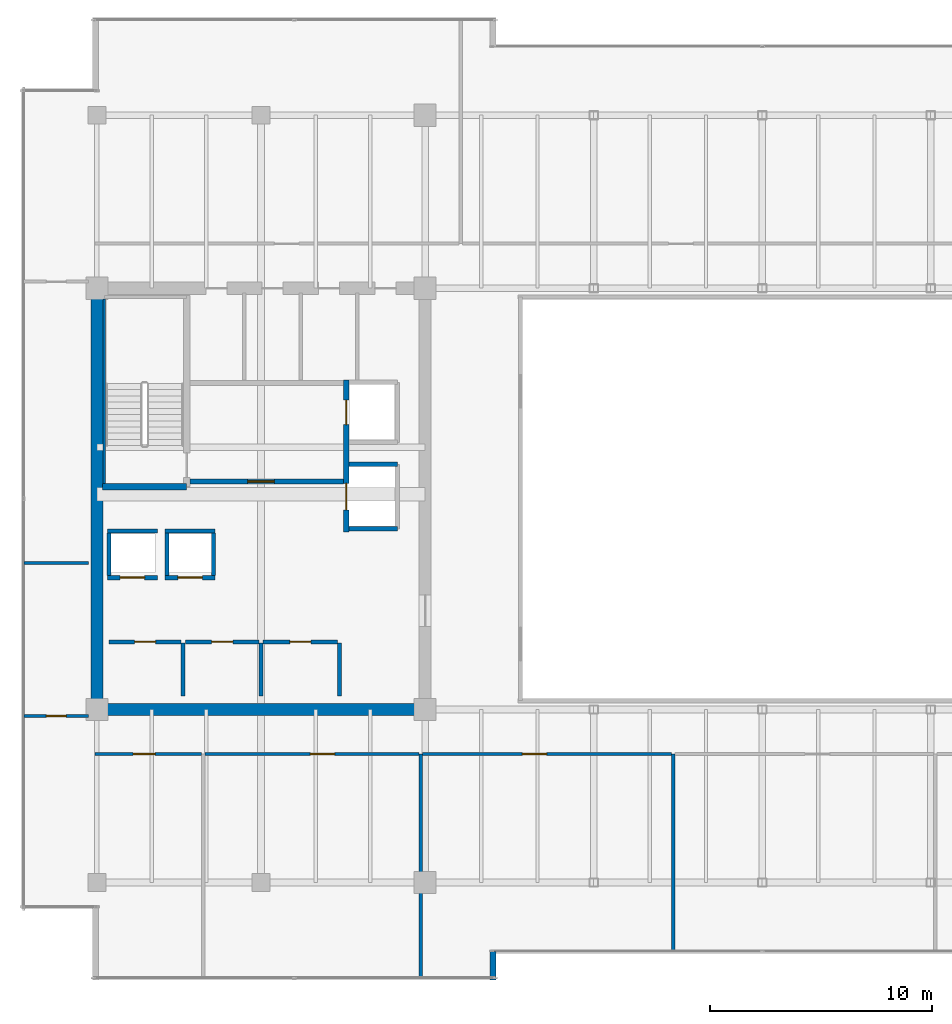
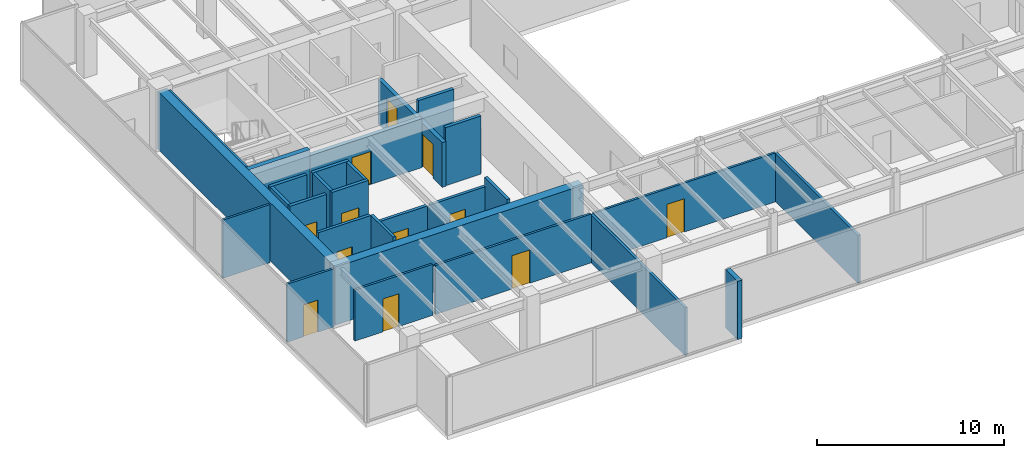
# One storey, part 28 of 33: 29 walls, 12 doors, 12 openings.
"""IFC4 building model written with IfcOpenShell, lengths in metres."""

from ifc_helpers import new_model, si_unit, direction, frame, frame_2d, origin, place, context, subcontext, project, spatial, rectangle, extrude, source, transform, mapped, material, layer, layer_set, type_object, type_shapes, element, fill, save


model = new_model("IFC4")

# Units and contexts
model_context = context("Model", 3, precision=1e-05, world=origin(), true_north=direction((0.0, 1.0)))
body_context = subcontext(model_context, "Body", "Model", "MODEL_VIEW")
ifc_project = project(units=[si_unit("LENGTHUNIT", "METRE"), si_unit("AREAUNIT", "SQUARE_METRE"), si_unit("VOLUMEUNIT", "CUBIC_METRE"), si_unit("PLANEANGLEUNIT", "RADIAN"), si_unit("MASSUNIT", "GRAM", prefix="KILO")], contexts=[model_context])

# Site, building, storey
site_placement = place(None, origin())
site = spatial("IfcSite", under=ifc_project, at=site_placement, CompositionType="ELEMENT")
building_placement = place(site_placement, origin())
building = spatial("IfcBuilding", under=site, at=building_placement, Name="Haelvirn Gate Laboratories", CompositionType="ELEMENT")
storey_placement = place(building_placement, frame((0.0, 0.0, 209.60009765625)))
storey = spatial("IfcBuildingStorey", under=building, at=storey_placement, Name="L50", CompositionType="ELEMENT", Elevation=209.60009765625)

# Walls
ifc_material_1 = material(Name="Thermally-broken bronze aluminium rainscreen & mineral wool", Category="aluminium")
ifc_layer_1 = layer(ifc_material_1, 0.280029296875, Name="EW-TERR-280")
ifc_layer_set_1 = layer_set([ifc_layer_1], Name="Thermally-broken bronze aluminium rainscreen & mineral wool")
wall_type_1 = type_object("IfcWallType", Name="EW-TERR-280", PredefinedType="STANDARD", material=ifc_layer_set_1)
wall_1_placement = place(storey_placement, frame((25.260009765625, 2.60009765625, 0.0), z_axis=(0.0, 0.0, 1.0), x_axis=(0.0, 1.0, 0.0)))
element("IfcWall", 1, at=wall_1_placement, inside=storey, type_object=wall_type_1, Name="L50 Atrium Recess Bronze Return Wall 01", PredefinedType="STANDARD", context=body_context, shape_type="SweptSolid", body=[
    extrude(rectangle(XDim=1.29296875, YDim=0.280029296875, at=frame_2d((0.646484375, 0.0))), origin(), (0.0, 0.0, 1.0), 3.7998046875),
])
ifc_material_2 = material(Name="Double-layer acoustic gypsum laboratory partition", Category="gypsum")
ifc_layer_2 = layer(ifc_material_2, 0.159912109375, Name="IW-ACOUST-160")
ifc_layer_set_2 = layer_set([ifc_layer_2], Name="Double-layer acoustic gypsum laboratory partition")
wall_type_2 = type_object("IfcWallType", Name="IW-ACOUST-160", PredefinedType="PARTITIONING", material=ifc_layer_set_2)
wall_2_placement = place(storey_placement, frame((22.0, 2.7099609375, 0.0), z_axis=(0.0, 0.0, 1.0), x_axis=(0.0, 1.0, 0.0)))
element("IfcWall", 2, at=wall_2_placement, inside=storey, type_object=wall_type_2, Name="L50 Interior Wall IW-L50-SDIV-02", PredefinedType="PARTITIONING", context=body_context, shape_type="SweptSolid", body=[
    extrude(rectangle(XDim=10.080078125, YDim=0.159912109375, at=frame_2d((5.0400390625, 0.0))), origin(), (0.0, 0.0, 1.0), 3.135009765625),
])
wall_3_placement = place(storey_placement, frame((33.39990234375, 3.909912109375, 0.0), z_axis=(0.0, 0.0, 1.0), x_axis=(0.0, 1.0, 0.0)))
element("IfcWall", 3, at=wall_3_placement, inside=storey, type_object=wall_type_2, Name="L50 Interior Wall IW-L50-SDIV-03", PredefinedType="PARTITIONING", context=body_context, shape_type="SweptSolid", body=[
    extrude(rectangle(XDim=8.880126953125, YDim=0.159912109375, at=frame_2d((4.43994140625, 0.0))), origin(), (0.0, 0.0, 1.0), 3.135009765625),
])

# Wall, opening, door
ifc_material_3 = material(Name="Acoustic mineral-wool gypsum board partition", Category="gypsum")
ifc_layer_3 = layer(ifc_material_3, 0.139892578125, Name="IW-PART-140")
ifc_layer_set_3 = layer_set([ifc_layer_3], Name="Acoustic mineral-wool gypsum board partition")
wall_type_3 = type_object("IfcWallType", Name="IW-PART-140", PredefinedType="PARTITIONING", material=ifc_layer_set_3)
wall_4_placement = place(storey_placement, frame((7.31005859375, 12.7900390625, 0.0), z_axis=(0.0, 0.0, 1.0), x_axis=(1.0, 0.0, 0.0)))
wall_4 = element("IfcWall", 4, at=wall_4_placement, inside=storey, type_object=wall_type_3, Name="L50 Interior Wall IW-L50-SCORR-01", PredefinedType="PARTITIONING", context=body_context, shape_type="SweptSolid", body=[
    extrude(rectangle(XDim=4.81005859375, YDim=0.139892578125, at=frame_2d((2.405029296875, 0.0))), origin(), (0.0, 0.0, 1.0), 3.3349609375),
])
opening_1_placement = place(wall_4_placement, frame((1.718505859375, 0.0, 0.0)))
opening_1 = element("IfcOpeningElement", 5, at=opening_1_placement, cuts=wall_4, Name="Opening D2", PredefinedType="OPENING", context=body_context, shape_type="SweptSolid", body=[
    extrude(rectangle(XDim=1.0, YDim=2.14990234375, at=frame_2d((0.5, 1.074951171875))), frame((0.0, 0.080078125, 0.0), z_axis=(0.0, -1.0, 0.0), x_axis=(1.0, 0.0, 0.0)), (0.0, 0.0, 1.0), 0.159912109375),
])
ifc_material_4 = material(Name="Acoustic solid-core timber suite door", Category="wood")
door_type_1 = type_object("IfcDoorType", Name="DR-INT-1000", OperationType="NOTDEFINED", PredefinedType="DOOR", material=ifc_material_4)
shared_shape_1 = source(origin(), body_context, "Body", "SweptSolid", [
    extrude(rectangle(XDim=1.0, YDim=2.14990234375, at=frame_2d((0.5, 1.074951171875))), frame((0.0, 0.02490234375, 0.0), z_axis=(0.0, -1.0, 0.0), x_axis=(1.0, 0.0, 0.0)), (0.0, 0.0, 1.0), 0.050048828125),
])
type_shapes(door_type_1, [shared_shape_1])
door_1_placement = place(opening_1_placement, origin())
door_1 = element("IfcDoor", 6, at=door_1_placement, inside=storey, type_object=door_type_1, Name="L50 Peer-Review Seminar Room Door S1", OperationType="SINGLE_SWING_LEFT", OverallHeight=2.14990234375, OverallWidth=1.0, PredefinedType="DOOR", context=body_context, shape_type="MappedRepresentation", body=[
    mapped(shared_shape_1, transform((0.0, 0.0, 0.0), scale=1.0)),
])
fill(opening_1, door_1)

wall_5_placement = place(storey_placement, frame((12.280029296875, 12.7900390625, 0.0), z_axis=(0.0, 0.0, 1.0), x_axis=(1.0, 0.0, 0.0)))
wall_5 = element("IfcWall", 7, at=wall_5_placement, inside=storey, type_object=wall_type_3, Name="L50 Interior Wall IW-L50-SCORR-02", PredefinedType="PARTITIONING", context=body_context, shape_type="SweptSolid", body=[
    extrude(rectangle(XDim=9.639892578125, YDim=0.139892578125, at=frame_2d((4.81982421875, 0.0))), origin(), (0.0, 0.0, 1.0), 3.197021484375),
])
opening_2_placement = place(wall_5_placement, frame((4.740478515625, 0.0, 0.0)))
opening_2 = element("IfcOpeningElement", 8, at=opening_2_placement, cuts=wall_5, Name="Opening D1", PredefinedType="OPENING", context=body_context, shape_type="SweptSolid", body=[
    extrude(rectangle(XDim=1.10009765625, YDim=2.179931640625, at=frame_2d((0.550048828125, 1.08984375))), frame((0.0, 0.080078125, 0.0), z_axis=(0.0, -1.0, 0.0), x_axis=(1.0, 0.0, 0.0)), (0.0, 0.0, 1.0), 0.159912109375),
])
ifc_material_5 = material(Name="Vision-panel acoustic solid-core timber lab door", Category="wood")
door_type_2 = type_object("IfcDoorType", Name="DR-LAB-1100", OperationType="NOTDEFINED", PredefinedType="DOOR", material=ifc_material_5)
shared_shape_2 = source(origin(), body_context, "Body", "SweptSolid", [
    extrude(rectangle(XDim=1.10009765625, YDim=2.179931640625, at=frame_2d((0.550048828125, 1.08984375))), frame((0.0, 0.02490234375, 0.0), z_axis=(0.0, -1.0, 0.0), x_axis=(1.0, 0.0, 0.0)), (0.0, 0.0, 1.0), 0.050048828125),
])
type_shapes(door_type_2, [shared_shape_2])
door_2_placement = place(opening_2_placement, origin())
door_2 = element("IfcDoor", 9, at=door_2_placement, inside=storey, type_object=door_type_2, Name="L50 Colloquium Conference Room Door S2", OperationType="SINGLE_SWING_RIGHT", OverallHeight=2.179931640625, OverallWidth=1.10009765625, PredefinedType="DOOR", context=body_context, shape_type="MappedRepresentation", body=[
    mapped(shared_shape_2, transform((0.0, 0.0, 0.0), scale=1.0)),
])
fill(opening_2, door_2)

wall_6_placement = place(storey_placement, frame((22.080078125, 12.7900390625, 0.0), z_axis=(0.0, 0.0, 1.0), x_axis=(1.0, 0.0, 0.0)))
wall_6 = element("IfcWall", 10, at=wall_6_placement, inside=storey, type_object=wall_type_3, Name="L50 Interior Wall IW-L50-SCORR-03", PredefinedType="PARTITIONING", context=body_context, shape_type="SweptSolid", body=[
    extrude(rectangle(XDim=11.239990234375, YDim=0.139892578125, at=frame_2d((5.6201171875, 0.0))), origin(), (0.0, 0.0, 1.0), 3.197021484375),
])
opening_3_placement = place(wall_6_placement, frame((4.503662109375, 0.0, 0.0)))
opening_3 = element("IfcOpeningElement", 11, at=opening_3_placement, cuts=wall_6, Name="Opening D1", PredefinedType="OPENING", context=body_context, shape_type="SweptSolid", body=[
    extrude(rectangle(XDim=1.10009765625, YDim=2.179931640625, at=frame_2d((0.550048828125, 1.08984375))), frame((0.0, 0.080078125, 0.0), z_axis=(0.0, -1.0, 0.0), x_axis=(1.0, 0.0, 0.0)), (0.0, 0.0, 1.0), 0.159912109375),
])
door_3_placement = place(opening_3_placement, origin())
door_3 = element("IfcDoor", 12, at=door_3_placement, inside=storey, type_object=door_type_2, Name="L50 Cryo-EM Imaging Suite Door S3", OperationType="SINGLE_SWING_LEFT", OverallHeight=2.179931640625, OverallWidth=1.10009765625, PredefinedType="DOOR", context=body_context, shape_type="MappedRepresentation", body=[
    mapped(shared_shape_2, transform((0.0, 0.0, 0.0), scale=1.0)),
])
fill(opening_3, door_3)

# Wall
wall_7_placement = place(storey_placement, frame((4.110107421875, 21.39990234375, 0.0), z_axis=(0.0, 0.0, 1.0), x_axis=(1.0, 0.0, 0.0)))
element("IfcWall", 13, at=wall_7_placement, inside=storey, type_object=wall_type_3, Name="L50 Interior Wall IW-L50-WZ3-MID", PredefinedType="PARTITIONING", context=body_context, shape_type="SweptSolid", body=[
    extrude(rectangle(XDim=2.909912109375, YDim=0.139892578125, at=frame_2d((1.455078125, 0.0))), origin(), (0.0, 0.0, 1.0), 3.7998046875),
])

# Wall, opening, door
wall_8_placement = place(storey_placement, frame((4.110107421875, 14.5048828125, 0.0), z_axis=(0.0, 0.0, 1.0), x_axis=(1.0, 0.0, 0.0)))
wall_8 = element("IfcWall", 14, at=wall_8_placement, inside=storey, type_object=wall_type_3, Name="L50 Interior Wall IW-L50-WZ3-ENT-S", PredefinedType="PARTITIONING", context=body_context, shape_type="SweptSolid", body=[
    extrude(rectangle(XDim=2.909912109375, YDim=0.139892578125, at=frame_2d((1.455078125, 0.0))), origin(), (0.0, 0.0, 1.0), 3.7998046875),
])
opening_4_placement = place(wall_8_placement, frame((1.0048828125, 0.0, 0.0)))
opening_4 = element("IfcOpeningElement", 15, at=opening_4_placement, cuts=wall_8, Name="Opening D4", PredefinedType="OPENING", context=body_context, shape_type="SweptSolid", body=[
    extrude(rectangle(XDim=0.89990234375, YDim=2.10009765625, at=frame_2d((0.449951171875, 1.050048828125))), frame((0.0, 0.080078125, 0.0), z_axis=(0.0, -1.0, 0.0), x_axis=(1.0, 0.0, 0.0)), (0.0, 0.0, 1.0), 0.159912109375),
])
ifc_material_6 = material(Name="Glazed aluminium-framed write-up door", Category="aluminium")
door_type_3 = type_object("IfcDoorType", Name="DR-OFF-900", OperationType="NOTDEFINED", PredefinedType="DOOR", material=ifc_material_6)
shared_shape_3 = source(origin(), body_context, "Body", "SweptSolid", [
    extrude(rectangle(XDim=0.89990234375, YDim=2.10009765625, at=frame_2d((0.449951171875, 1.050048828125))), frame((0.0, 0.02490234375, 0.0), z_axis=(0.0, -1.0, 0.0), x_axis=(1.0, 0.0, 0.0)), (0.0, 0.0, 1.0), 0.050048828125),
])
type_shapes(door_type_3, [shared_shape_3])
door_4_placement = place(opening_4_placement, origin())
door_4 = element("IfcDoor", 16, at=door_4_placement, inside=storey, type_object=door_type_3, Name="L50 Laser-Safety Consult Room Door W-S", OperationType="SINGLE_SWING_LEFT", OverallHeight=2.10009765625, OverallWidth=0.89990234375, PredefinedType="DOOR", context=body_context, shape_type="MappedRepresentation", body=[
    mapped(shared_shape_3, transform((0.0, 0.0, 0.0), scale=1.0)),
])
fill(opening_4, door_4)

# Walls
ifc_material_7 = material(Name="Concrete C40/50", Category="concrete")
ifc_layer_4 = layer(ifc_material_7, 0.179931640625, Name="IW-SHAFT-180")
ifc_layer_set_4 = layer_set([ifc_layer_4], Name="Concrete C40/50")
wall_type_4 = type_object("IfcWallType", Name="IW-SHAFT-180", PredefinedType="SOLIDWALL", material=ifc_layer_set_4)
for number, where, z_axis, x_axis, name in (
    (17, (7.949951171875, 20.85009765625, 0.0), (0.0, 0.0, 1.0), (0.0, 1.0, 0.0), "L50 Interior Wall IW-L50-PL9-SD"),
    (18, (10.550048828125, 20.85009765625, 0.0), (0.0, 0.0, 1.0), (0.0, 1.0, 0.0), "L50 Interior Wall IW-L50-PL10-SD"),
    (19, (12.64990234375, 20.85009765625, 0.0), (0.0, 0.0, 1.0), (0.0, 1.0, 0.0), "L50 Interior Wall IW-L50-PL10-SDE"),
):
    element("IfcWall", number, at=place(storey_placement, frame(where, z_axis=z_axis, x_axis=x_axis)), inside=storey, type_object=wall_type_4, Name=name, PredefinedType="SOLIDWALL", context=body_context, shape_type="SweptSolid", body=[
        extrude(rectangle(XDim=1.89990234375, YDim=0.179931640625, at=frame_2d((0.949951171875, 0.0))), origin(), (0.0, 0.0, 1.0), 3.7998046875),
    ])

# Wall, opening, door
wall_9_placement = place(storey_placement, frame((7.949951171875, 17.85009765625, 0.0), z_axis=(0.0, 0.0, 1.0), x_axis=(1.0, 0.0, 0.0)))
wall_9 = element("IfcWall", 20, at=wall_9_placement, inside=storey, type_object=wall_type_4, Name="L50 Interior Wall IW-L50-W-FREED-HN-1", PredefinedType="SOLIDWALL", context=body_context, shape_type="SweptSolid", body=[
    extrude(rectangle(XDim=3.25, YDim=0.179931640625, at=frame_2d((1.625, 0.0))), origin(), (0.0, 0.0, 1.0), 3.7998046875),
])
opening_5_placement = place(wall_9_placement, frame((1.14990234375, 0.0, 0.0)))
opening_5 = element("IfcOpeningElement", 21, at=opening_5_placement, cuts=wall_9, Name="Opening FD4", PredefinedType="OPENING", context=body_context, shape_type="SweptSolid", body=[
    extrude(rectangle(XDim=0.949951171875, YDim=2.14990234375, at=frame_2d((0.47509765625, 1.074951171875))), frame((0.0, 0.10009765625, 0.0), z_axis=(0.0, -1.0, 0.0), x_axis=(1.0, 0.0, 0.0)), (0.0, 0.0, 1.0), 0.199951171875),
])
ifc_material_8 = material(Name="Fire-rated steel SM355 core service door", Category="steel")
door_type_4 = type_object("IfcDoorType", Name="DR-FD-950", OperationType="NOTDEFINED", PredefinedType="DOOR", material=ifc_material_8)
shared_shape_4 = source(origin(), body_context, "Body", "SweptSolid", [
    extrude(rectangle(XDim=0.949951171875, YDim=2.14990234375, at=frame_2d((0.47509765625, 1.074951171875))), frame((0.0, 0.02490234375, 0.0), z_axis=(0.0, -1.0, 0.0), x_axis=(1.0, 0.0, 0.0)), (0.0, 0.0, 1.0), 0.050048828125),
])
type_shapes(door_type_4, [shared_shape_4])
door_5_placement = place(opening_5_placement, origin())
door_5 = element("IfcDoor", 22, at=door_5_placement, inside=storey, type_object=door_type_4, Name="L50 Autoclave Bio-Prep Room Door", OperationType="SINGLE_SWING_LEFT", OverallHeight=2.14990234375, OverallWidth=0.949951171875, PredefinedType="DOOR", context=body_context, shape_type="MappedRepresentation", body=[
    mapped(shared_shape_4, transform((0.0, 0.0, 0.0), scale=1.0)),
])
fill(opening_5, door_5)

# Wall
wall_10_placement = place(storey_placement, frame((11.2900390625, 15.39990234375, 0.0), z_axis=(0.0, 0.0, 1.0), x_axis=(0.0, 1.0, 0.0)))
element("IfcWall", 23, at=wall_10_placement, inside=storey, type_object=wall_type_4, Name="L50 Interior Wall IW-L50-W-FREED-HE-1", PredefinedType="SOLIDWALL", context=body_context, shape_type="SweptSolid", body=[
    extrude(rectangle(XDim=2.400146484375, YDim=0.179931640625, at=frame_2d((1.2001953125, 0.0))), origin(), (0.0, 0.0, 1.0), 3.7998046875),
])

# Wall, opening, door
wall_11_placement = place(storey_placement, frame((11.39990234375, 17.85009765625, 0.0), z_axis=(0.0, 0.0, 1.0), x_axis=(1.0, 0.0, 0.0)))
wall_11 = element("IfcWall", 24, at=wall_11_placement, inside=storey, type_object=wall_type_4, Name="L50 Interior Wall IW-L50-W-FREED-HN-2", PredefinedType="SOLIDWALL", context=body_context, shape_type="SweptSolid", body=[
    extrude(rectangle(XDim=3.300048828125, YDim=0.179931640625, at=frame_2d((1.64990234375, 0.0))), origin(), (0.0, 0.0, 1.0), 3.197021484375),
])
opening_6_placement = place(wall_11_placement, frame((1.175048828125, 0.0, 0.0)))
opening_6 = element("IfcOpeningElement", 25, at=opening_6_placement, cuts=wall_11, Name="Opening FD4", PredefinedType="OPENING", context=body_context, shape_type="SweptSolid", body=[
    extrude(rectangle(XDim=0.949951171875, YDim=2.14990234375, at=frame_2d((0.47509765625, 1.074951171875))), frame((0.0, 0.10009765625, 0.0), z_axis=(0.0, -1.0, 0.0), x_axis=(1.0, 0.0, 0.0)), (0.0, 0.0, 1.0), 0.199951171875),
])
door_6_placement = place(opening_6_placement, origin())
door_6 = element("IfcDoor", 26, at=door_6_placement, inside=storey, type_object=door_type_4, Name="L50 Telemetry Analytics Room Door", OperationType="SINGLE_SWING_RIGHT", OverallHeight=2.14990234375, OverallWidth=0.949951171875, PredefinedType="DOOR", context=body_context, shape_type="MappedRepresentation", body=[
    mapped(shared_shape_4, transform((0.0, 0.0, 0.0), scale=1.0)),
])
fill(opening_6, door_6)

# Wall
wall_12_placement = place(storey_placement, frame((14.7900390625, 15.39990234375, 0.0), z_axis=(0.0, 0.0, 1.0), x_axis=(0.0, 1.0, 0.0)))
element("IfcWall", 27, at=wall_12_placement, inside=storey, type_object=wall_type_4, Name="L50 Interior Wall IW-L50-W-FREED-HE-2", PredefinedType="SOLIDWALL", context=body_context, shape_type="SweptSolid", body=[
    extrude(rectangle(XDim=2.400146484375, YDim=0.179931640625, at=frame_2d((1.2001953125, 0.0))), origin(), (0.0, 0.0, 1.0), 3.197021484375),
])

# Wall, opening, door
wall_13_placement = place(storey_placement, frame((14.89990234375, 17.85009765625, 0.0), z_axis=(0.0, 0.0, 1.0), x_axis=(1.0, 0.0, 0.0)))
wall_13 = element("IfcWall", 28, at=wall_13_placement, inside=storey, type_object=wall_type_4, Name="L50 Interior Wall IW-L50-W-FREED-HN-3", PredefinedType="SOLIDWALL", context=body_context, shape_type="SweptSolid", body=[
    extrude(rectangle(XDim=3.35009765625, YDim=0.179931640625, at=frame_2d((1.675048828125, 0.0))), origin(), (0.0, 0.0, 1.0), 3.197021484375),
])
opening_7_placement = place(wall_13_placement, frame((1.199951171875, 0.0, 0.0)))
opening_7 = element("IfcOpeningElement", 29, at=opening_7_placement, cuts=wall_13, Name="Opening FD4", PredefinedType="OPENING", context=body_context, shape_type="SweptSolid", body=[
    extrude(rectangle(XDim=0.949951171875, YDim=2.14990234375, at=frame_2d((0.47509765625, 1.074951171875))), frame((0.0, 0.10009765625, 0.0), z_axis=(0.0, -1.0, 0.0), x_axis=(1.0, 0.0, 0.0)), (0.0, 0.0, 1.0), 0.199951171875),
])
door_7_placement = place(opening_7_placement, origin())
door_7 = element("IfcDoor", 30, at=door_7_placement, inside=storey, type_object=door_type_4, Name="L50 Calibration Metrology Room Door", OperationType="SINGLE_SWING_LEFT", OverallHeight=2.14990234375, OverallWidth=0.949951171875, PredefinedType="DOOR", context=body_context, shape_type="MappedRepresentation", body=[
    mapped(shared_shape_4, transform((0.0, 0.0, 0.0), scale=1.0)),
])
fill(opening_7, door_7)

# Wall
wall_14_placement = place(storey_placement, frame((18.340087890625, 15.39990234375, 0.0), z_axis=(0.0, 0.0, 1.0), x_axis=(0.0, 1.0, 0.0)))
element("IfcWall", 31, at=wall_14_placement, inside=storey, type_object=wall_type_4, Name="L50 Interior Wall IW-L50-W-FREED-HE-3", PredefinedType="SOLIDWALL", context=body_context, shape_type="SweptSolid", body=[
    extrude(rectangle(XDim=2.400146484375, YDim=0.179931640625, at=frame_2d((1.2001953125, 0.0))), origin(), (0.0, 0.0, 1.0), 3.7998046875),
])

# Wall, opening, door
ifc_layer_5 = layer(ifc_material_7, 0.199951171875, Name="IW-SHAFT-200")
ifc_layer_set_5 = layer_set([ifc_layer_5], Name="Concrete C40/50")
wall_type_5 = type_object("IfcWallType", Name="IW-SHAFT-200", PredefinedType="SOLIDWALL", material=ifc_layer_set_5)
wall_15_placement = place(storey_placement, frame((7.8701171875, 20.75, 0.0), z_axis=(0.0, 0.0, 1.0), x_axis=(1.0, 0.0, 0.0)))
wall_15 = element("IfcWall", 32, at=wall_15_placement, inside=storey, type_object=wall_type_5, Name="L50 Interior Wall IW-L50-PL9-FR", PredefinedType="SOLIDWALL", context=body_context, shape_type="SweptSolid", body=[
    extrude(rectangle(XDim=2.259765625, YDim=0.199951171875, at=frame_2d((1.1298828125, 0.0))), origin(), (0.0, 0.0, 1.0), 3.7998046875),
])
opening_8_placement = place(wall_15_placement, frame((0.580078125, 0.0, 0.0)))
opening_8 = element("IfcOpeningElement", 33, at=opening_8_placement, cuts=wall_15, Name="Opening LD2", PredefinedType="OPENING", context=body_context, shape_type="SweptSolid", body=[
    extrude(rectangle(XDim=1.10009765625, YDim=2.219970703125, at=frame_2d((0.550048828125, 1.10986328125))), frame((0.0, 0.10986328125, 0.0), z_axis=(0.0, -1.0, 0.0), x_axis=(1.0, 0.0, 0.0)), (0.0, 0.0, 1.0), 0.219970703125),
])
ifc_material_9 = material(Name="Bronze stainless 316L sliding lift landing door")
door_type_5 = type_object("IfcDoorType", Name="DR-LD-1100", OperationType="NOTDEFINED", PredefinedType="USERDEFINED", material=ifc_material_9)
shared_shape_5 = source(origin(), body_context, "Body", "SweptSolid", [
    extrude(rectangle(XDim=1.10009765625, YDim=2.219970703125, at=frame_2d((0.550048828125, 1.10986328125))), frame((0.0, 0.02490234375, 0.0), z_axis=(0.0, -1.0, 0.0), x_axis=(1.0, 0.0, 0.0)), (0.0, 0.0, 1.0), 0.050048828125),
])
type_shapes(door_type_5, [shared_shape_5])
door_8_placement = place(opening_8_placement, origin())
door_8 = element("IfcDoor", 34, at=door_8_placement, inside=storey, type_object=door_type_5, Name="L50 Passenger Lift PL9 Landing Door", ObjectType="LANDING_DOOR", OperationType="SLIDING_TO_LEFT", OverallHeight=2.219970703125, OverallWidth=1.10009765625, PredefinedType="USERDEFINED", context=body_context, shape_type="MappedRepresentation", body=[
    mapped(shared_shape_5, transform((0.0, 0.0, 0.0), scale=1.0)),
])
fill(opening_8, door_8)

# Wall
wall_16_placement = place(storey_placement, frame((7.8701171875, 22.85009765625, 0.0), z_axis=(0.0, 0.0, 1.0), x_axis=(1.0, 0.0, 0.0)))
element("IfcWall", 35, at=wall_16_placement, inside=storey, type_object=wall_type_5, Name="L50 Interior Wall IW-L50-PL9-BK", PredefinedType="SOLIDWALL", context=body_context, shape_type="SweptSolid", body=[
    extrude(rectangle(XDim=2.259765625, YDim=0.199951171875, at=frame_2d((1.1298828125, 0.0))), origin(), (0.0, 0.0, 1.0), 3.7998046875),
])

# Wall, opening, door
wall_17_placement = place(storey_placement, frame((10.469970703125, 20.75, 0.0), z_axis=(0.0, 0.0, 1.0), x_axis=(1.0, 0.0, 0.0)))
wall_17 = element("IfcWall", 36, at=wall_17_placement, inside=storey, type_object=wall_type_5, Name="L50 Interior Wall IW-L50-PL10-FR", PredefinedType="SOLIDWALL", context=body_context, shape_type="SweptSolid", body=[
    extrude(rectangle(XDim=2.260009765625, YDim=0.199951171875, at=frame_2d((1.1298828125, 0.0))), origin(), (0.0, 0.0, 1.0), 3.7998046875),
])
opening_9_placement = place(wall_17_placement, frame((0.580078125, 0.0, 0.0)))
opening_9 = element("IfcOpeningElement", 37, at=opening_9_placement, cuts=wall_17, Name="Opening LD2", PredefinedType="OPENING", context=body_context, shape_type="SweptSolid", body=[
    extrude(rectangle(XDim=1.10009765625, YDim=2.219970703125, at=frame_2d((0.550048828125, 1.10986328125))), frame((0.0, 0.10986328125, 0.0), z_axis=(0.0, -1.0, 0.0), x_axis=(1.0, 0.0, 0.0)), (0.0, 0.0, 1.0), 0.219970703125),
])
door_9_placement = place(opening_9_placement, origin())
door_9 = element("IfcDoor", 38, at=door_9_placement, inside=storey, type_object=door_type_5, Name="L50 Passenger Lift PL10 Landing Door", ObjectType="LANDING_DOOR", OperationType="SLIDING_TO_RIGHT", OverallHeight=2.219970703125, OverallWidth=1.10009765625, PredefinedType="USERDEFINED", context=body_context, shape_type="MappedRepresentation", body=[
    mapped(shared_shape_5, transform((0.0, 0.0, 0.0), scale=1.0)),
])
fill(opening_9, door_9)

# Walls
wall_18_placement = place(storey_placement, frame((10.469970703125, 22.85009765625, 0.0), z_axis=(0.0, 0.0, 1.0), x_axis=(1.0, 0.0, 0.0)))
element("IfcWall", 39, at=wall_18_placement, inside=storey, type_object=wall_type_5, Name="L50 Interior Wall IW-L50-PL10-BK", PredefinedType="SOLIDWALL", context=body_context, shape_type="SweptSolid", body=[
    extrude(rectangle(XDim=2.260009765625, YDim=0.199951171875, at=frame_2d((1.1298828125, 0.0))), origin(), (0.0, 0.0, 1.0), 3.7998046875),
])
for number, where, z_axis, x_axis, name in (
    (40, (18.760009765625, 25.85009765625, 0.0), (0.0, 0.0, 1.0), (1.0, 0.0, 0.0), "L50 Interior Wall IW-L50-SL1-N"),
    (41, (18.760009765625, 22.949951171875, 0.0), (0.0, 0.0, 1.0), (1.0, 0.0, 0.0), "L50 Interior Wall IW-L50-SL1-S"),
):
    element("IfcWall", number, at=place(storey_placement, frame(where, z_axis=z_axis, x_axis=x_axis)), inside=storey, type_object=wall_type_5, Name=name, PredefinedType="SOLIDWALL", context=body_context, shape_type="SweptSolid", body=[
        extrude(rectangle(XDim=2.18994140625, YDim=0.199951171875, at=frame_2d((1.094970703125, 0.0))), origin(), (0.0, 0.0, 1.0), 3.7998046875),
    ])

# Wall, opening, door
ifc_layer_6 = layer(ifc_material_7, 0.239990234375, Name="IW-SHAFT-240")
ifc_layer_set_6 = layer_set([ifc_layer_6], Name="Concrete C40/50")
wall_type_6 = type_object("IfcWallType", Name="IW-SHAFT-240", PredefinedType="SOLIDWALL", material=ifc_layer_set_6)
wall_19_placement = place(storey_placement, frame((11.60009765625, 25.080078125, 0.0), z_axis=(0.0, 0.0, 1.0), x_axis=(1.0, 0.0, 0.0)))
wall_19 = element("IfcWall", 42, at=wall_19_placement, inside=storey, type_object=wall_type_6, Name="L50 Interior Wall IW-L50-W-FF-S", PredefinedType="SOLIDWALL", context=body_context, shape_type="SweptSolid", body=[
    extrude(rectangle(XDim=6.919921875, YDim=0.239990234375, at=frame_2d((3.4599609375, 0.0))), origin(), (0.0, 0.0, 1.0), 3.197021484375),
])
opening_10_placement = place(wall_19_placement, frame((2.60009765625, 0.0, 0.0)))
opening_10 = element("IfcOpeningElement", 43, at=opening_10_placement, cuts=wall_19, Name="Opening FD2", PredefinedType="OPENING", context=body_context, shape_type="SweptSolid", body=[
    extrude(rectangle(XDim=1.199951171875, YDim=2.159912109375, at=frame_2d((0.60009765625, 1.080078125))), frame((0.0, 0.1298828125, 0.0), z_axis=(0.0, -1.0, 0.0), x_axis=(1.0, 0.0, 0.0)), (0.0, 0.0, 1.0), 0.260009765625),
])
ifc_material_10 = material(Name="Fire-rated steel SM355 compartment door", Category="steel")
door_type_6 = type_object("IfcDoorType", Name="DR-FD-1200", OperationType="NOTDEFINED", PredefinedType="DOOR", material=ifc_material_10)
shared_shape_6 = source(origin(), body_context, "Body", "SweptSolid", [
    extrude(rectangle(XDim=1.199951171875, YDim=2.159912109375, at=frame_2d((0.60009765625, 1.080078125))), frame((0.0, 0.02490234375, 0.0), z_axis=(0.0, -1.0, 0.0), x_axis=(1.0, 0.0, 0.0)), (0.0, 0.0, 1.0), 0.050048828125),
])
type_shapes(door_type_6, [shared_shape_6])
door_10_placement = place(opening_10_placement, origin())
door_10 = element("IfcDoor", 44, at=door_10_placement, inside=storey, type_object=door_type_6, Name="L50 West Firefighting Lobby Door", OperationType="SINGLE_SWING_RIGHT", OverallHeight=2.159912109375, OverallWidth=1.199951171875, PredefinedType="DOOR", context=body_context, shape_type="MappedRepresentation", body=[
    mapped(shared_shape_6, transform((0.0, 0.0, 0.0), scale=1.0)),
])
fill(opening_10, door_10)

# Wall, openings, doors
wall_20_placement = place(storey_placement, frame((18.639892578125, 22.800048828125, 0.0), z_axis=(0.0, 0.0, 1.0), x_axis=(0.0, 1.0, 0.0)))
wall_20 = element("IfcWall", 45, at=wall_20_placement, inside=storey, type_object=wall_type_6, Name="L50 Interior Wall IW-L50-W-FF-E", PredefinedType="SOLIDWALL", context=body_context, shape_type="SweptSolid", body=[
    extrude(rectangle(XDim=6.849853515625, YDim=0.239990234375, at=frame_2d((3.4248046875, 0.0))), origin(), (0.0, 0.0, 1.0), 2.934814453125),
])
opening_11_placement = place(wall_20_placement, frame((4.85009765625, 0.0, 0.0)))
opening_11 = element("IfcOpeningElement", 46, at=opening_11_placement, cuts=wall_20, Name="Opening LD2", PredefinedType="OPENING", context=body_context, shape_type="SweptSolid", body=[
    extrude(rectangle(XDim=1.10009765625, YDim=2.219970703125, at=frame_2d((0.550048828125, 1.10986328125))), frame((0.0, 0.1298828125, 0.0), z_axis=(0.0, -1.0, 0.0), x_axis=(1.0, 0.0, 0.0)), (0.0, 0.0, 1.0), 0.260009765625),
])
opening_12_placement = place(wall_20_placement, frame((1.0, 0.0, 0.0)))
opening_12 = element("IfcOpeningElement", 47, at=opening_12_placement, cuts=wall_20, Name="Opening LD1", PredefinedType="OPENING", context=body_context, shape_type="SweptSolid", body=[
    extrude(rectangle(XDim=1.199951171875, YDim=2.219970703125, at=frame_2d((0.60009765625, 1.10986328125))), frame((0.0, 0.1298828125, 0.0), z_axis=(0.0, -1.0, 0.0), x_axis=(1.0, 0.0, 0.0)), (0.0, 0.0, 1.0), 0.260009765625),
])
door_11_placement = place(opening_11_placement, origin())
door_11 = element("IfcDoor", 48, at=door_11_placement, inside=storey, type_object=door_type_5, Name="L50 Firefighting Lift FL1 Landing Door", ObjectType="LANDING_DOOR", OperationType="SLIDING_TO_LEFT", OverallHeight=2.219970703125, OverallWidth=1.10009765625, PredefinedType="USERDEFINED", context=body_context, shape_type="MappedRepresentation", body=[
    mapped(shared_shape_5, transform((0.0, 0.0, 0.0), scale=1.0)),
])
fill(opening_11, door_11)
ifc_material_11 = material(Name="Stainless steel 316L sliding goods landing door", Category="steel")
door_type_7 = type_object("IfcDoorType", Name="DR-LD-1200", OperationType="NOTDEFINED", PredefinedType="USERDEFINED", material=ifc_material_11)
shared_shape_7 = source(origin(), body_context, "Body", "SweptSolid", [
    extrude(rectangle(XDim=1.199951171875, YDim=2.219970703125, at=frame_2d((0.60009765625, 1.10986328125))), frame((0.0, 0.02490234375, 0.0), z_axis=(0.0, -1.0, 0.0), x_axis=(1.0, 0.0, 0.0)), (0.0, 0.0, 1.0), 0.050048828125),
])
type_shapes(door_type_7, [shared_shape_7])
door_12_placement = place(opening_12_placement, origin())
door_12 = element("IfcDoor", 49, at=door_12_placement, inside=storey, type_object=door_type_7, Name="L50 Service Lift SL1 Landing Door", ObjectType="LANDING_DOOR", OperationType="SLIDING_TO_RIGHT", OverallHeight=2.219970703125, OverallWidth=1.199951171875, PredefinedType="USERDEFINED", context=body_context, shape_type="MappedRepresentation", body=[
    mapped(shared_shape_7, transform((0.0, 0.0, 0.0), scale=1.0)),
])
fill(opening_12, door_12)

# Walls
ifc_material_12 = material(Name="Concrete C50/60", Category="concrete")
ifc_layer_7 = layer(ifc_material_12, 0.550048828125, Name="SW-CORE-550")
ifc_layer_set_7 = layer_set([ifc_layer_7], Name="Concrete C50/60")
wall_type_7 = type_object("IfcWallType", Name="SW-CORE-550", PredefinedType="SHEAR", material=ifc_layer_set_7)
wall_21_placement = place(storey_placement, frame((7.125, 14.800048828125, 0.0), z_axis=(0.0, 0.0, 1.0), x_axis=(1.0, 0.0, 0.0)))
element("IfcWall", 50, at=wall_21_placement, inside=storey, type_object=wall_type_7, Name="L50 W Core Shear Wall S", PredefinedType="SHEAR", context=body_context, shape_type="SweptSolid", body=[
    extrude(rectangle(XDim=15.35009765625, YDim=0.550048828125, at=frame_2d((7.675048828125, 0.0))), origin(), (0.0, 0.0, 1.0), 3.7998046875),
])
wall_22_placement = place(storey_placement, frame((7.39990234375, 15.074951171875, 0.0), z_axis=(0.0, 0.0, 1.0), x_axis=(0.0, 1.0, 0.0)))
element("IfcWall", 51, at=wall_22_placement, inside=storey, type_object=wall_type_7, Name="L50 W Core Shear Wall W", PredefinedType="SHEAR", context=body_context, shape_type="SweptSolid", body=[
    extrude(rectangle(XDim=18.449951171875, YDim=0.550048828125, at=frame_2d((9.22509765625, 0.0))), origin(), (0.0, 0.0, 1.0), 3.7998046875),
])
ifc_layer_8 = layer(ifc_material_12, 0.1201171875, Name="SW-LINER-120")
ifc_layer_set_8 = layer_set([ifc_layer_8], Name="Concrete C50/60")
wall_type_8 = type_object("IfcWallType", Name="SW-LINER-120", PredefinedType="SOLIDWALL", material=ifc_layer_set_8)
wall_23_placement = place(storey_placement, frame((7.72998046875, 25.0, 0.0), z_axis=(0.0, 0.0, 1.0), x_axis=(0.0, 1.0, 0.0)))
element("IfcWall", 52, at=wall_23_placement, inside=storey, type_object=wall_type_8, Name="L50 W Core Stair Shaft Liner Wall OUT", PredefinedType="SOLIDWALL", context=body_context, shape_type="SweptSolid", body=[
    extrude(rectangle(XDim=8.320068359375, YDim=0.1201171875, at=frame_2d((4.16015625, 0.0))), origin(), (0.0, 0.0, 1.0), 3.7998046875),
])
ifc_layer_9 = layer(ifc_material_12, 0.300048828125, Name="SW-STAIR-300")
ifc_layer_set_9 = layer_set([ifc_layer_9], Name="Concrete C50/60")
wall_type_9 = type_object("IfcWallType", Name="SW-STAIR-300", PredefinedType="SHEAR", material=ifc_layer_set_9)
wall_24_placement = place(storey_placement, frame((7.64990234375, 24.85009765625, 0.0), z_axis=(0.0, 0.0, 1.0), x_axis=(1.0, 0.0, 0.0)))
element("IfcWall", 53, at=wall_24_placement, inside=storey, type_object=wall_type_9, Name="L50 W Core Stair Shaft Structural Wall S", PredefinedType="SHEAR", context=body_context, shape_type="SweptSolid", body=[
    extrude(rectangle(XDim=3.800048828125, YDim=0.300048828125, at=frame_2d((1.89990234375, 0.0))), origin(), (0.0, 0.0, 1.0), 3.7998046875),
])

save(model, "model.ifc")
